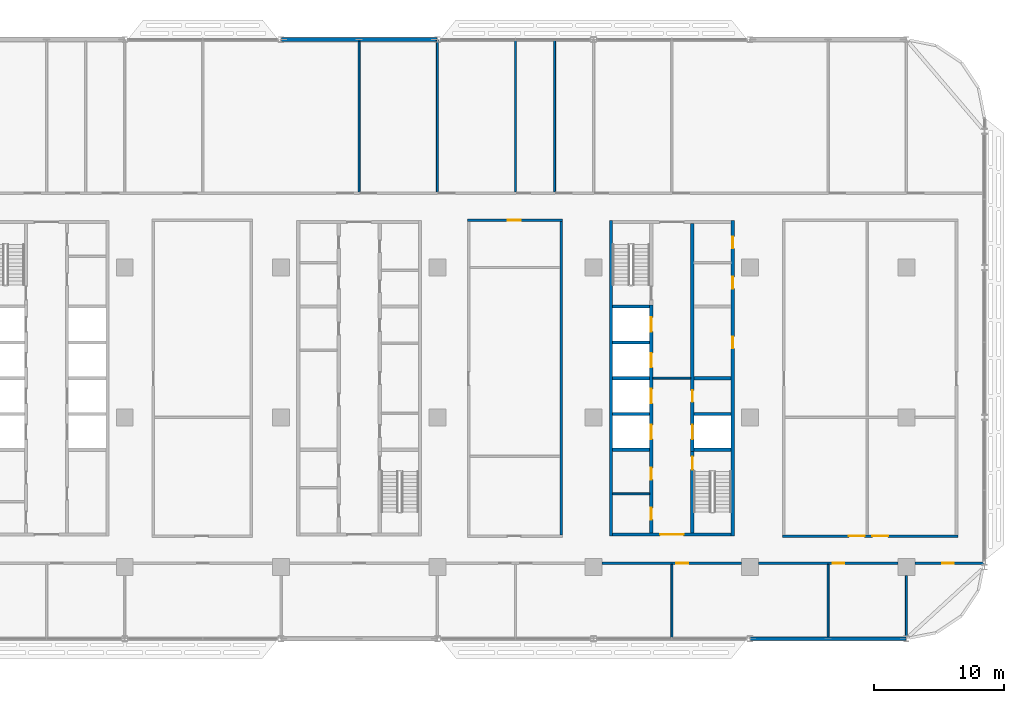
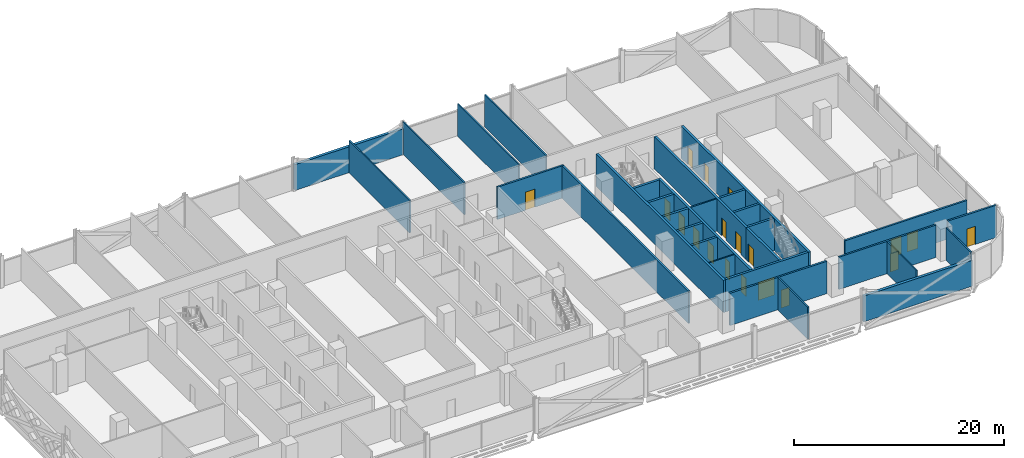
# One storey, part 17 of 28: 31 walls, 19 doors, 19 openings.
"""IFC4 building model written with IfcOpenShell, lengths in metres."""

from ifc_helpers import new_model, si_unit, direction, frame, frame_2d, origin, place, context, subcontext, project, spatial, rectangle, extrude, material, layer, layer_set, type_object, element, fill, save


model = new_model("IFC4")

# Units and contexts
model_context = context("Model", 3, precision=1e-05, world=origin(), true_north=direction((0.0, 1.0)))
body_context = subcontext(model_context, "Body", "Model", "MODEL_VIEW")
ifc_project = project(units=[si_unit("LENGTHUNIT", "METRE"), si_unit("AREAUNIT", "SQUARE_METRE"), si_unit("VOLUMEUNIT", "CUBIC_METRE"), si_unit("PLANEANGLEUNIT", "RADIAN"), si_unit("MASSUNIT", "GRAM", prefix="KILO")], contexts=[model_context])

# Site, building, storey
site_placement = place(None, origin())
site = spatial("IfcSite", under=ifc_project, at=site_placement, CompositionType="ELEMENT")
building_placement = place(site_placement, origin())
building = spatial("IfcBuilding", under=site, at=building_placement, Name="Mahtab Terrace Research Tower", CompositionType="ELEMENT")
storey_placement = place(building_placement, frame((0.0, 0.0, 130.199951171875)))
storey = spatial("IfcBuildingStorey", under=building, at=storey_placement, Name="L30", CompositionType="ELEMENT", Elevation=130.199951171875)

# Walls
ifc_material_1 = material(Name="Gypsum board partition")
ifc_layer_1 = layer(ifc_material_1, 0.14990234375)
ifc_layer_set_1 = layer_set([ifc_layer_1], Name="Core partition 150")
wall_type_1 = type_object("IfcWallType", Name="Core partition 150", PredefinedType="PARTITIONING", material=ifc_layer_set_1)
wall_1_placement = place(storey_placement, frame((22.550048828125, 3.0, 0.0), z_axis=(0.0, 0.0, 1.0), x_axis=(1.0, 0.0, 0.0)))
element("IfcWall", 1, at=wall_1_placement, inside=storey, type_object=wall_type_1, Name="Core wall C ffl", PredefinedType="PARTITIONING", context=body_context, shape_type="SweptSolid", body=[
    extrude(rectangle(XDim=2.89990234375, YDim=0.14990234375, at=frame_2d((1.449951171875, 0.0))), origin(), (0.0, 0.0, 1.0), 3.760009765625),
])
wall_2_placement = place(storey_placement, frame((19.449951171875, -5.875, 0.0), z_axis=(0.0, 0.0, 1.0), x_axis=(1.0, 0.0, 0.0)))
element("IfcWall", 2, at=wall_2_placement, inside=storey, type_object=wall_type_1, Name="Core wall C pWS-888", PredefinedType="PARTITIONING", context=body_context, shape_type="SweptSolid", body=[
    extrude(rectangle(XDim=2.85009765625, YDim=0.14990234375, at=frame_2d((1.425048828125, 0.0))), origin(), (0.0, 0.0, 1.0), 3.760009765625),
])
ifc_material_2 = material(Name="Concrete C70/85", Category="concrete")
ifc_layer_2 = layer(ifc_material_2, 0.25)
ifc_layer_set_2 = layer_set([ifc_layer_2], Name="Core wall 250")
wall_type_2 = type_object("IfcWallType", Name="Core wall 250", PredefinedType="SOLIDWALL", material=ifc_layer_set_2)
wall_3_placement = place(storey_placement, frame((19.324951171875, 15.125, 0.0), z_axis=(0.0, 0.0, 1.0), x_axis=(0.0, -1.0, 0.0)))
element("IfcWall", 3, at=wall_3_placement, inside=storey, type_object=wall_type_2, Name="Core wall C outerW", PredefinedType="SOLIDWALL", context=body_context, shape_type="SweptSolid", body=[
    extrude(rectangle(XDim=24.25, YDim=0.25, at=frame_2d((12.125, 0.0))), origin(), (0.0, 0.0, 1.0), 3.760009765625),
])

# Wall, openings, doors
wall_4_placement = place(storey_placement, frame((28.675048828125, -9.125, 0.0), z_axis=(0.0, 0.0, 1.0), x_axis=(0.0, 1.0, 0.0)))
wall_4 = element("IfcWall", 4, at=wall_4_placement, inside=storey, type_object=wall_type_2, Name="Core wall C outerE", PredefinedType="SOLIDWALL", context=body_context, shape_type="SweptSolid", body=[
    extrude(rectangle(XDim=24.25, YDim=0.25, at=frame_2d((12.125, 0.0))), origin(), (0.0, 0.0, 1.0), 3.760009765625),
])
opening_1_placement = place(wall_4_placement, frame((14.425048828125, 0.0, 0.0)))
opening_1 = element("IfcOpeningElement", 5, at=opening_1_placement, cuts=wall_4, Name="Opening C-R2", PredefinedType="OPENING", context=body_context, shape_type="SweptSolid", body=[
    extrude(rectangle(XDim=0.89990234375, YDim=2.10009765625, at=frame_2d((0.449951171875, 1.050048828125))), frame((0.0, 0.135009765625, 0.0), z_axis=(0.0, -1.0, 0.0), x_axis=(1.0, 0.0, 0.0)), (0.0, 0.0, 1.0), 0.27001953125),
])
opening_2_placement = place(wall_4_placement, frame((19.012451171875, 0.0, 0.0)))
opening_2 = element("IfcOpeningElement", 6, at=opening_2_placement, cuts=wall_4, Name="Opening C-R5", PredefinedType="OPENING", context=body_context, shape_type="SweptSolid", body=[
    extrude(rectangle(XDim=0.89990234375, YDim=2.10009765625, at=frame_2d((0.449951171875, 1.050048828125))), frame((0.0, 0.135009765625, 0.0), z_axis=(0.0, -1.0, 0.0), x_axis=(1.0, 0.0, 0.0)), (0.0, 0.0, 1.0), 0.27001953125),
])
opening_3_placement = place(wall_4_placement, frame((22.08740234375, 0.0, 0.0)))
opening_3 = element("IfcOpeningElement", 7, at=opening_3_placement, cuts=wall_4, Name="Opening C-R6", PredefinedType="OPENING", context=body_context, shape_type="SweptSolid", body=[
    extrude(rectangle(XDim=0.89990234375, YDim=2.10009765625, at=frame_2d((0.449951171875, 1.050048828125))), frame((0.0, 0.135009765625, 0.0), z_axis=(0.0, -1.0, 0.0), x_axis=(1.0, 0.0, 0.0)), (0.0, 0.0, 1.0), 0.27001953125),
])
ifc_material_3 = material(Name="Steel fire door", Category="steel")
door_type_1 = type_object("IfcDoorType", Name="Room door 900x2100 1 HR", OperationType="NOTDEFINED", PredefinedType="DOOR", material=ifc_material_3)
door_1_placement = place(opening_1_placement, origin())
door_1 = element("IfcDoor", 8, at=door_1_placement, inside=storey, type_object=door_type_1, Name="Plant room door", OperationType="SINGLE_SWING_RIGHT", OverallHeight=2.10009765625, OverallWidth=0.89990234375, PredefinedType="DOOR", context=body_context, shape_type="SweptSolid", body=[
    extrude(rectangle(XDim=0.89990234375, YDim=2.10009765625, at=frame_2d((0.449951171875, 1.050048828125))), frame((0.0, 0.02490234375, 0.0), z_axis=(0.0, -1.0, 0.0), x_axis=(1.0, 0.0, 0.0)), (0.0, 0.0, 1.0), 0.050048828125),
])
fill(opening_1, door_1)
door_2_placement = place(opening_2_placement, origin())
door_2 = element("IfcDoor", 9, at=door_2_placement, inside=storey, type_object=door_type_1, Name="Housekeeping store door", OperationType="SINGLE_SWING_LEFT", OverallHeight=2.10009765625, OverallWidth=0.89990234375, PredefinedType="DOOR", context=body_context, shape_type="SweptSolid", body=[
    extrude(rectangle(XDim=0.89990234375, YDim=2.10009765625, at=frame_2d((0.449951171875, 1.050048828125))), frame((0.0, 0.02490234375, 0.0), z_axis=(0.0, -1.0, 0.0), x_axis=(1.0, 0.0, 0.0)), (0.0, 0.0, 1.0), 0.050048828125),
])
fill(opening_2, door_2)
door_3_placement = place(opening_3_placement, origin())
door_3 = element("IfcDoor", 10, at=door_3_placement, inside=storey, type_object=door_type_1, Name="Electrical riser room door", OperationType="SINGLE_SWING_RIGHT", OverallHeight=2.10009765625, OverallWidth=0.89990234375, PredefinedType="DOOR", context=body_context, shape_type="SweptSolid", body=[
    extrude(rectangle(XDim=0.89990234375, YDim=2.10009765625, at=frame_2d((0.449951171875, 1.050048828125))), frame((0.0, 0.02490234375, 0.0), z_axis=(0.0, -1.0, 0.0), x_axis=(1.0, 0.0, 0.0)), (0.0, 0.0, 1.0), 0.050048828125),
])
fill(opening_3, door_3)

# Wall, opening, door
wall_5_placement = place(storey_placement, frame((28.550048828125, -9.0, 0.0), z_axis=(0.0, 0.0, 1.0), x_axis=(-1.0, 0.0, 0.0)))
wall_5 = element("IfcWall", 11, at=wall_5_placement, inside=storey, type_object=wall_type_2, Name="Core wall C endS", PredefinedType="SOLIDWALL", context=body_context, shape_type="SweptSolid", body=[
    extrude(rectangle(XDim=9.10009765625, YDim=0.25, at=frame_2d((4.550048828125, 0.0))), origin(), (0.0, 0.0, 1.0), 3.760009765625),
])
opening_4_placement = place(wall_5_placement, frame((3.64990234375, 0.0, 0.0)))
opening_4 = element("IfcOpeningElement", 12, at=opening_4_placement, cuts=wall_5, Name="Opening C-S1", PredefinedType="OPENING", context=body_context, shape_type="SweptSolid", body=[
    extrude(rectangle(XDim=1.800048828125, YDim=2.10009765625, at=frame_2d((0.89990234375, 1.050048828125))), frame((0.0, 0.135009765625, 0.0), z_axis=(0.0, -1.0, 0.0), x_axis=(1.0, 0.0, 0.0)), (0.0, 0.0, 1.0), 0.27001953125),
])
door_type_2 = type_object("IfcDoorType", Name="Lobby double door 1800x2100 1 HR", OperationType="DOUBLE_DOOR_SINGLE_SWING", PredefinedType="DOOR", material=ifc_material_3)
door_4_placement = place(opening_4_placement, origin())
door_4 = element("IfcDoor", 13, at=door_4_placement, inside=storey, type_object=door_type_2, Name="Core entrance door C S", OperationType="DOUBLE_DOOR_SINGLE_SWING", OverallHeight=2.10009765625, OverallWidth=1.800048828125, PredefinedType="DOOR", context=body_context, shape_type="SweptSolid", body=[
    extrude(rectangle(XDim=1.800048828125, YDim=2.10009765625, at=frame_2d((0.89990234375, 1.050048828125))), frame((0.0, 0.02490234375, 0.0), z_axis=(0.0, -1.0, 0.0), x_axis=(1.0, 0.0, 0.0)), (0.0, 0.0, 1.0), 0.050048828125),
])
fill(opening_4, door_4)

# Wall, openings, doors
wall_6_placement = place(storey_placement, frame((22.425048828125, -8.875, 0.0), z_axis=(0.0, 0.0, 1.0), x_axis=(0.0, 1.0, 0.0)))
wall_6 = element("IfcWall", 14, at=wall_6_placement, inside=storey, type_object=wall_type_2, Name="Core wall C innerWSL", PredefinedType="SOLIDWALL", context=body_context, shape_type="SweptSolid", body=[
    extrude(rectangle(XDim=17.5, YDim=0.25, at=frame_2d((8.75, 0.0))), origin(), (0.0, 0.0, 1.0), 3.760009765625),
])
opening_5_placement = place(wall_6_placement, frame((7.199951171875, 0.0, 0.0)))
opening_5 = element("IfcOpeningElement", 15, at=opening_5_placement, cuts=wall_6, Name="Opening LD17-L30", PredefinedType="OPENING", context=body_context, shape_type="SweptSolid", body=[
    extrude(rectangle(XDim=1.10009765625, YDim=2.10009765625, at=frame_2d((0.550048828125, 1.050048828125))), frame((0.0, 0.135009765625, 0.0), z_axis=(0.0, -1.0, 0.0), x_axis=(1.0, 0.0, 0.0)), (0.0, 0.0, 1.0), 0.27001953125),
])
opening_6_placement = place(wall_6_placement, frame((9.949951171875, 0.0, 0.0)))
opening_6 = element("IfcOpeningElement", 16, at=opening_6_placement, cuts=wall_6, Name="Opening LD18-L30", PredefinedType="OPENING", context=body_context, shape_type="SweptSolid", body=[
    extrude(rectangle(XDim=1.10009765625, YDim=2.10009765625, at=frame_2d((0.550048828125, 1.050048828125))), frame((0.0, 0.135009765625, 0.0), z_axis=(0.0, -1.0, 0.0), x_axis=(1.0, 0.0, 0.0)), (0.0, 0.0, 1.0), 0.27001953125),
])
opening_7_placement = place(wall_6_placement, frame((12.699951171875, 0.0, 0.0)))
opening_7 = element("IfcOpeningElement", 17, at=opening_7_placement, cuts=wall_6, Name="Opening LD19-L30", PredefinedType="OPENING", context=body_context, shape_type="SweptSolid", body=[
    extrude(rectangle(XDim=1.10009765625, YDim=2.10009765625, at=frame_2d((0.550048828125, 1.050048828125))), frame((0.0, 0.135009765625, 0.0), z_axis=(0.0, -1.0, 0.0), x_axis=(1.0, 0.0, 0.0)), (0.0, 0.0, 1.0), 0.27001953125),
])
opening_8_placement = place(wall_6_placement, frame((15.449951171875, 0.0, 0.0)))
opening_8 = element("IfcOpeningElement", 18, at=opening_8_placement, cuts=wall_6, Name="Opening LD20-L30", PredefinedType="OPENING", context=body_context, shape_type="SweptSolid", body=[
    extrude(rectangle(XDim=1.10009765625, YDim=2.10009765625, at=frame_2d((0.550048828125, 1.050048828125))), frame((0.0, 0.135009765625, 0.0), z_axis=(0.0, -1.0, 0.0), x_axis=(1.0, 0.0, 0.0)), (0.0, 0.0, 1.0), 0.27001953125),
])
opening_9_placement = place(wall_6_placement, frame((1.012451171875, 0.0, 0.0)))
opening_9 = element("IfcOpeningElement", 19, at=opening_9_placement, cuts=wall_6, Name="Opening C-R3", PredefinedType="OPENING", context=body_context, shape_type="SweptSolid", body=[
    extrude(rectangle(XDim=0.89990234375, YDim=2.10009765625, at=frame_2d((0.449951171875, 1.050048828125))), frame((0.0, 0.135009765625, 0.0), z_axis=(0.0, -1.0, 0.0), x_axis=(1.0, 0.0, 0.0)), (0.0, 0.0, 1.0), 0.27001953125),
])
opening_10_placement = place(wall_6_placement, frame((4.08740234375, 0.0, 0.0)))
opening_10 = element("IfcOpeningElement", 20, at=opening_10_placement, cuts=wall_6, Name="Opening C-R4", PredefinedType="OPENING", context=body_context, shape_type="SweptSolid", body=[
    extrude(rectangle(XDim=0.89990234375, YDim=2.10009765625, at=frame_2d((0.449951171875, 1.050048828125))), frame((0.0, 0.135009765625, 0.0), z_axis=(0.0, -1.0, 0.0), x_axis=(1.0, 0.0, 0.0)), (0.0, 0.0, 1.0), 0.27001953125),
])
ifc_material_4 = material(Name="Stainless steel AISI 304", Category="steel")
door_type_3 = type_object("IfcDoorType", Name="Landing door 1100x2100", OperationType="DOUBLE_DOOR_SLIDING", PredefinedType="DOOR", material=ifc_material_4)
door_5_placement = place(opening_5_placement, origin())
door_5 = element("IfcDoor", 21, at=door_5_placement, inside=storey, type_object=door_type_3, Name="Landing door SV1 L30", OperationType="DOUBLE_DOOR_SLIDING", OverallHeight=2.10009765625, OverallWidth=1.10009765625, PredefinedType="DOOR", context=body_context, shape_type="SweptSolid", body=[
    extrude(rectangle(XDim=1.10009765625, YDim=2.10009765625, at=frame_2d((0.550048828125, 1.050048828125))), frame((0.0, 0.02490234375, 0.0), z_axis=(0.0, -1.0, 0.0), x_axis=(1.0, 0.0, 0.0)), (0.0, 0.0, 1.0), 0.050048828125),
])
fill(opening_5, door_5)
door_6_placement = place(opening_6_placement, origin())
door_6 = element("IfcDoor", 22, at=door_6_placement, inside=storey, type_object=door_type_3, Name="Landing door SV2 L30", OperationType="DOUBLE_DOOR_SLIDING", OverallHeight=2.10009765625, OverallWidth=1.10009765625, PredefinedType="DOOR", context=body_context, shape_type="SweptSolid", body=[
    extrude(rectangle(XDim=1.10009765625, YDim=2.10009765625, at=frame_2d((0.550048828125, 1.050048828125))), frame((0.0, 0.02490234375, 0.0), z_axis=(0.0, -1.0, 0.0), x_axis=(1.0, 0.0, 0.0)), (0.0, 0.0, 1.0), 0.050048828125),
])
fill(opening_6, door_6)
door_7_placement = place(opening_7_placement, origin())
door_7 = element("IfcDoor", 23, at=door_7_placement, inside=storey, type_object=door_type_3, Name="Landing door FF1 L30", OperationType="DOUBLE_DOOR_SLIDING", OverallHeight=2.10009765625, OverallWidth=1.10009765625, PredefinedType="DOOR", context=body_context, shape_type="SweptSolid", body=[
    extrude(rectangle(XDim=1.10009765625, YDim=2.10009765625, at=frame_2d((0.550048828125, 1.050048828125))), frame((0.0, 0.02490234375, 0.0), z_axis=(0.0, -1.0, 0.0), x_axis=(1.0, 0.0, 0.0)), (0.0, 0.0, 1.0), 0.050048828125),
])
fill(opening_7, door_7)
door_8_placement = place(opening_8_placement, origin())
door_8 = element("IfcDoor", 24, at=door_8_placement, inside=storey, type_object=door_type_3, Name="Landing door FF2 L30", OperationType="DOUBLE_DOOR_SLIDING", OverallHeight=2.10009765625, OverallWidth=1.10009765625, PredefinedType="DOOR", context=body_context, shape_type="SweptSolid", body=[
    extrude(rectangle(XDim=1.10009765625, YDim=2.10009765625, at=frame_2d((0.550048828125, 1.050048828125))), frame((0.0, 0.02490234375, 0.0), z_axis=(0.0, -1.0, 0.0), x_axis=(1.0, 0.0, 0.0)), (0.0, 0.0, 1.0), 0.050048828125),
])
fill(opening_8, door_8)
door_9_placement = place(opening_9_placement, origin())
door_9 = element("IfcDoor", 25, at=door_9_placement, inside=storey, type_object=door_type_1, Name="Staff WC door", OperationType="SINGLE_SWING_LEFT", OverallHeight=2.10009765625, OverallWidth=0.89990234375, PredefinedType="DOOR", context=body_context, shape_type="SweptSolid", body=[
    extrude(rectangle(XDim=0.89990234375, YDim=2.10009765625, at=frame_2d((0.449951171875, 1.050048828125))), frame((0.0, 0.02490234375, 0.0), z_axis=(0.0, -1.0, 0.0), x_axis=(1.0, 0.0, 0.0)), (0.0, 0.0, 1.0), 0.050048828125),
])
fill(opening_9, door_9)
door_10_placement = place(opening_10_placement, origin())
door_10 = element("IfcDoor", 26, at=door_10_placement, inside=storey, type_object=door_type_1, Name="Accessible WC door", OperationType="SINGLE_SWING_RIGHT", OverallHeight=2.10009765625, OverallWidth=0.89990234375, PredefinedType="DOOR", context=body_context, shape_type="SweptSolid", body=[
    extrude(rectangle(XDim=0.89990234375, YDim=2.10009765625, at=frame_2d((0.449951171875, 1.050048828125))), frame((0.0, 0.02490234375, 0.0), z_axis=(0.0, -1.0, 0.0), x_axis=(1.0, 0.0, 0.0)), (0.0, 0.0, 1.0), 0.050048828125),
])
fill(opening_10, door_10)

# Wall, opening, door
wall_7_placement = place(storey_placement, frame((25.574951171875, -8.875, 0.0), z_axis=(0.0, 0.0, 1.0), x_axis=(0.0, 1.0, 0.0)))
wall_7 = element("IfcWall", 27, at=wall_7_placement, inside=storey, type_object=wall_type_2, Name="Core wall C innerES", PredefinedType="SOLIDWALL", context=body_context, shape_type="SweptSolid", body=[
    extrude(rectangle(XDim=6.25, YDim=0.25, at=frame_2d((3.125, 0.0))), origin(), (0.0, 0.0, 1.0), 3.760009765625),
])
opening_11_placement = place(wall_7_placement, frame((4.85009765625, 0.0, 0.0)))
opening_11 = element("IfcOpeningElement", 28, at=opening_11_placement, cuts=wall_7, Name="Opening C-ST4", PredefinedType="OPENING", context=body_context, shape_type="SweptSolid", body=[
    extrude(rectangle(XDim=1.0, YDim=2.10009765625, at=frame_2d((0.5, 1.050048828125))), frame((0.0, 0.135009765625, 0.0), z_axis=(0.0, -1.0, 0.0), x_axis=(1.0, 0.0, 0.0)), (0.0, 0.0, 1.0), 0.27001953125),
])
door_type_4 = type_object("IfcDoorType", Name="Stair door 1000x2100 1.5 HR", OperationType="NOTDEFINED", PredefinedType="DOOR", material=ifc_material_3)
door_11_placement = place(opening_11_placement, origin())
door_11 = element("IfcDoor", 29, at=door_11_placement, inside=storey, type_object=door_type_4, Name="Stair door ST4 L30", OperationType="SINGLE_SWING_RIGHT", OverallHeight=2.10009765625, OverallWidth=1.0, PredefinedType="DOOR", context=body_context, shape_type="SweptSolid", body=[
    extrude(rectangle(XDim=1.0, YDim=2.10009765625, at=frame_2d((0.5, 1.050048828125))), frame((0.0, 0.02490234375, 0.0), z_axis=(0.0, -1.0, 0.0), x_axis=(1.0, 0.0, 0.0)), (0.0, 0.0, 1.0), 0.050048828125),
])
fill(opening_11, door_11)

# Wall, openings, doors
wall_8_placement = place(storey_placement, frame((25.574951171875, 14.875, 0.0), z_axis=(0.0, 0.0, 1.0), x_axis=(0.0, -1.0, 0.0)))
wall_8 = element("IfcWall", 30, at=wall_8_placement, inside=storey, type_object=wall_type_2, Name="Core wall C innerELN", PredefinedType="SOLIDWALL", context=body_context, shape_type="SweptSolid", body=[
    extrude(rectangle(XDim=17.5, YDim=0.25, at=frame_2d((8.75, 0.0))), origin(), (0.0, 0.0, 1.0), 3.760009765625),
])
opening_12_placement = place(wall_8_placement, frame((15.449951171875, 0.0, 0.0)))
opening_12 = element("IfcOpeningElement", 31, at=opening_12_placement, cuts=wall_8, Name="Opening LD21-L30", PredefinedType="OPENING", context=body_context, shape_type="SweptSolid", body=[
    extrude(rectangle(XDim=1.10009765625, YDim=2.10009765625, at=frame_2d((0.550048828125, 1.050048828125))), frame((0.0, 0.135009765625, 0.0), z_axis=(0.0, -1.0, 0.0), x_axis=(1.0, 0.0, 0.0)), (0.0, 0.0, 1.0), 0.27001953125),
])
opening_13_placement = place(wall_8_placement, frame((12.800048828125, 0.0, 0.0)))
opening_13 = element("IfcOpeningElement", 32, at=opening_13_placement, cuts=wall_8, Name="Opening C-R1", PredefinedType="OPENING", context=body_context, shape_type="SweptSolid", body=[
    extrude(rectangle(XDim=0.89990234375, YDim=2.10009765625, at=frame_2d((0.449951171875, 1.050048828125))), frame((0.0, 0.135009765625, 0.0), z_axis=(0.0, -1.0, 0.0), x_axis=(1.0, 0.0, 0.0)), (0.0, 0.0, 1.0), 0.27001953125),
])
door_12_placement = place(opening_12_placement, origin())
door_12 = element("IfcDoor", 33, at=door_12_placement, inside=storey, type_object=door_type_3, Name="Landing door SV3 L30", OperationType="DOUBLE_DOOR_SLIDING", OverallHeight=2.10009765625, OverallWidth=1.10009765625, PredefinedType="DOOR", context=body_context, shape_type="SweptSolid", body=[
    extrude(rectangle(XDim=1.10009765625, YDim=2.10009765625, at=frame_2d((0.550048828125, 1.050048828125))), frame((0.0, 0.02490234375, 0.0), z_axis=(0.0, -1.0, 0.0), x_axis=(1.0, 0.0, 0.0)), (0.0, 0.0, 1.0), 0.050048828125),
])
fill(opening_12, door_12)
door_13_placement = place(opening_13_placement, origin())
door_13 = element("IfcDoor", 34, at=door_13_placement, inside=storey, type_object=door_type_1, Name="Plant room door", OperationType="SINGLE_SWING_LEFT", OverallHeight=2.10009765625, OverallWidth=0.89990234375, PredefinedType="DOOR", context=body_context, shape_type="SweptSolid", body=[
    extrude(rectangle(XDim=0.89990234375, YDim=2.10009765625, at=frame_2d((0.449951171875, 1.050048828125))), frame((0.0, 0.02490234375, 0.0), z_axis=(0.0, -1.0, 0.0), x_axis=(1.0, 0.0, 0.0)), (0.0, 0.0, 1.0), 0.050048828125),
])
fill(opening_13, door_13)

# Walls
for number, where, z_axis, x_axis, name in (
    (35, (19.449951171875, -2.5, 0.0), (0.0, 0.0, 1.0), (1.0, 0.0, 0.0), "Core wall C divW0"),
    (36, (19.449951171875, 0.25, 0.0), (0.0, 0.0, 1.0), (1.0, 0.0, 0.0), "Core wall C divW1"),
    (37, (19.449951171875, 3.0, 0.0), (0.0, 0.0, 1.0), (1.0, 0.0, 0.0), "Core wall C divW2"),
    (38, (19.449951171875, 5.75, 0.0), (0.0, 0.0, 1.0), (1.0, 0.0, 0.0), "Core wall C divW3"),
    (39, (19.449951171875, 8.5, 0.0), (0.0, 0.0, 1.0), (1.0, 0.0, 0.0), "Core wall C divW4"),
    (40, (25.699951171875, -2.5, 0.0), (0.0, 0.0, 1.0), (1.0, 0.0, 0.0), "Core wall C divE0"),
    (41, (25.699951171875, 0.25, 0.0), (0.0, 0.0, 1.0), (1.0, 0.0, 0.0), "Core wall C divE1"),
    (42, (25.699951171875, 3.0, 0.0), (0.0, 0.0, 1.0), (1.0, 0.0, 0.0), "Core wall C divE2"),
):
    element("IfcWall", number, at=place(storey_placement, frame(where, z_axis=z_axis, x_axis=x_axis)), inside=storey, type_object=wall_type_2, Name=name, PredefinedType="SOLIDWALL", context=body_context, shape_type="SweptSolid", body=[
        extrude(rectangle(XDim=2.85009765625, YDim=0.25, at=frame_2d((1.425048828125, 0.0))), origin(), (0.0, 0.0, 1.0), 3.760009765625),
    ])
ifc_material_5 = material(Name="Black aluminium cladding panel", Category="aluminium")
ifc_layer_3 = layer(ifc_material_5, 0.300048828125)
ifc_layer_set_3 = layer_set([ifc_layer_3], Name="Opaque facade wall 300")
wall_type_3 = type_object("IfcWallType", Name="Opaque facade wall 300", PredefinedType="NOTDEFINED", material=ifc_layer_set_3)
for number, where, z_axis, x_axis, name in (
    (43, (5.982177734375, 29.0, 0.0), (0.0, 0.0, 1.0), (-1.0, 0.0, 0.0), "Opaque facade wall L30 N6"),
    (44, (30.017822265625, -17.0, 0.0), (0.0, 0.0, 1.0), (1.0, 0.0, 0.0), "Opaque facade wall L30 S30"),
):
    element("IfcWall", number, at=place(storey_placement, frame(where, z_axis=z_axis, x_axis=x_axis)), inside=storey, type_object=wall_type_3, Name=name, PredefinedType="NOTDEFINED", context=body_context, shape_type="SweptSolid", body=[
        extrude(rectangle(XDim=11.96435546875, YDim=0.300048828125, at=frame_2d((5.982177734375, 0.0))), origin(), (0.0, 0.0, 1.0), 3.003173828125),
    ])

# Wall, opening, door
ifc_material_6 = material(Name="Gypsum board corridor wall on steel studs", Category="steel")
ifc_layer_4 = layer(ifc_material_6, 0.199951171875)
ifc_layer_set_4 = layer_set([ifc_layer_4], Name="WALL CORRIDOR 200")
wall_type_4 = type_object("IfcWallType", Name="WALL CORRIDOR 200", PredefinedType="PARTITIONING", material=ifc_layer_set_4)
wall_9_placement = place(storey_placement, frame((18.64990234375, -11.199951171875, 0.0), z_axis=(0.0, 0.0, 1.0), x_axis=(1.0, 0.0, 0.0)))
wall_9 = element("IfcWall", 45, at=wall_9_placement, inside=storey, type_object=wall_type_4, Name="L30-W007", PredefinedType="PARTITIONING", context=body_context, shape_type="SweptSolid", body=[
    extrude(rectangle(XDim=10.7001953125, YDim=0.199951171875, at=frame_2d((5.35009765625, 0.0))), origin(), (0.0, 0.0, 1.0), 3.760009765625),
])
opening_14_placement = place(wall_9_placement, frame((5.699951171875, 0.0, 0.0)))
opening_14 = element("IfcOpeningElement", 46, at=opening_14_placement, cuts=wall_9, Name="Opening L30-108", PredefinedType="OPENING", context=body_context, shape_type="SweptSolid", body=[
    extrude(rectangle(XDim=0.89990234375, YDim=2.10009765625, at=frame_2d((0.449951171875, 1.050048828125))), frame((0.0, 0.10986328125, 0.0), z_axis=(0.0, -1.0, 0.0), x_axis=(1.0, 0.0, 0.0)), (0.0, 0.0, 1.0), 0.219970703125),
])
ifc_material_7 = material(Name="Timber door leaf in steel frame", Category="steel")
door_type_5 = type_object("IfcDoorType", Name="DOOR 0900X2100 FD30S", OperationType="SINGLE_SWING_LEFT", PredefinedType="DOOR", material=ifc_material_7)
door_14_placement = place(opening_14_placement, origin())
door_14 = element("IfcDoor", 47, at=door_14_placement, inside=storey, type_object=door_type_5, Name="Door L30-108", OperationType="SINGLE_SWING_LEFT", OverallHeight=2.10009765625, OverallWidth=0.89990234375, PredefinedType="DOOR", context=body_context, shape_type="SweptSolid", body=[
    extrude(rectangle(XDim=0.89990234375, YDim=2.10009765625, at=frame_2d((0.449951171875, 1.050048828125))), frame((0.0, 0.02490234375, 0.0), z_axis=(0.0, -1.0, 0.0), x_axis=(1.0, 0.0, 0.0)), (0.0, 0.0, 1.0), 0.050048828125),
])
fill(opening_14, door_14)

wall_10_placement = place(storey_placement, frame((30.64990234375, -11.199951171875, 0.0), z_axis=(0.0, 0.0, 1.0), x_axis=(1.0, 0.0, 0.0)))
wall_10 = element("IfcWall", 48, at=wall_10_placement, inside=storey, type_object=wall_type_4, Name="L30-W008", PredefinedType="PARTITIONING", context=body_context, shape_type="SweptSolid", body=[
    extrude(rectangle(XDim=10.7001953125, YDim=0.199951171875, at=frame_2d((5.35009765625, 0.0))), origin(), (0.0, 0.0, 1.0), 3.760009765625),
])
opening_15_placement = place(wall_10_placement, frame((5.699951171875, 0.0, 0.0)))
opening_15 = element("IfcOpeningElement", 49, at=opening_15_placement, cuts=wall_10, Name="Opening L30-109", PredefinedType="OPENING", context=body_context, shape_type="SweptSolid", body=[
    extrude(rectangle(XDim=0.89990234375, YDim=2.10009765625, at=frame_2d((0.449951171875, 1.050048828125))), frame((0.0, 0.10986328125, 0.0), z_axis=(0.0, -1.0, 0.0), x_axis=(1.0, 0.0, 0.0)), (0.0, 0.0, 1.0), 0.219970703125),
])
door_15_placement = place(opening_15_placement, origin())
door_15 = element("IfcDoor", 50, at=door_15_placement, inside=storey, type_object=door_type_5, Name="Door L30-109", OperationType="SINGLE_SWING_LEFT", OverallHeight=2.10009765625, OverallWidth=0.89990234375, PredefinedType="DOOR", context=body_context, shape_type="SweptSolid", body=[
    extrude(rectangle(XDim=0.89990234375, YDim=2.10009765625, at=frame_2d((0.449951171875, 1.050048828125))), frame((0.0, 0.02490234375, 0.0), z_axis=(0.0, -1.0, 0.0), x_axis=(1.0, 0.0, 0.0)), (0.0, 0.0, 1.0), 0.050048828125),
])
fill(opening_15, door_15)

wall_11_placement = place(storey_placement, frame((42.64990234375, -11.199951171875, 0.0), z_axis=(0.0, 0.0, 1.0), x_axis=(1.0, 0.0, 0.0)))
wall_11 = element("IfcWall", 51, at=wall_11_placement, inside=storey, type_object=wall_type_4, Name="L30-W009", PredefinedType="PARTITIONING", context=body_context, shape_type="SweptSolid", body=[
    extrude(rectangle(XDim=5.3251953125, YDim=0.199951171875, at=frame_2d((2.66259765625, 0.0))), origin(), (0.0, 0.0, 1.0), 3.760009765625),
])
opening_16_placement = place(wall_11_placement, frame((2.10009765625, 0.0, 0.0)))
opening_16 = element("IfcOpeningElement", 52, at=opening_16_placement, cuts=wall_11, Name="Opening L30-110", PredefinedType="OPENING", context=body_context, shape_type="SweptSolid", body=[
    extrude(rectangle(XDim=0.89990234375, YDim=2.10009765625, at=frame_2d((0.449951171875, 1.050048828125))), frame((0.0, 0.10986328125, 0.0), z_axis=(0.0, -1.0, 0.0), x_axis=(1.0, 0.0, 0.0)), (0.0, 0.0, 1.0), 0.219970703125),
])
door_16_placement = place(opening_16_placement, origin())
door_16 = element("IfcDoor", 53, at=door_16_placement, inside=storey, type_object=door_type_5, Name="Door L30-110", OperationType="SINGLE_SWING_RIGHT", OverallHeight=2.10009765625, OverallWidth=0.89990234375, PredefinedType="DOOR", context=body_context, shape_type="SweptSolid", body=[
    extrude(rectangle(XDim=0.89990234375, YDim=2.10009765625, at=frame_2d((0.449951171875, 1.050048828125))), frame((0.0, 0.02490234375, 0.0), z_axis=(0.0, -1.0, 0.0), x_axis=(1.0, 0.0, 0.0)), (0.0, 0.0, 1.0), 0.050048828125),
])
fill(opening_16, door_16)

# Wall, openings, doors
wall_12_placement = place(storey_placement, frame((32.5, -9.125, 0.0), z_axis=(0.0, 0.0, 1.0), x_axis=(1.0, 0.0, 0.0)))
wall_12 = element("IfcWall", 54, at=wall_12_placement, inside=storey, type_object=wall_type_4, Name="L30-W013", PredefinedType="PARTITIONING", context=body_context, shape_type="SweptSolid", body=[
    extrude(rectangle(XDim=13.449951171875, YDim=0.199951171875, at=frame_2d((6.72509765625, 0.0))), origin(), (0.0, 0.0, 1.0), 3.760009765625),
])
opening_17_placement = place(wall_12_placement, frame((5.10009765625, 0.0, 0.0)))
opening_17 = element("IfcOpeningElement", 55, at=opening_17_placement, cuts=wall_12, Name="Opening L30-115", PredefinedType="OPENING", context=body_context, shape_type="SweptSolid", body=[
    extrude(rectangle(XDim=1.199951171875, YDim=2.10009765625, at=frame_2d((0.60009765625, 1.050048828125))), frame((0.0, 0.10986328125, 0.0), z_axis=(0.0, -1.0, 0.0), x_axis=(1.0, 0.0, 0.0)), (0.0, 0.0, 1.0), 0.219970703125),
])
opening_18_placement = place(wall_12_placement, frame((6.89990234375, 0.0, 0.0)))
opening_18 = element("IfcOpeningElement", 56, at=opening_18_placement, cuts=wall_12, Name="Opening L30-116", PredefinedType="OPENING", context=body_context, shape_type="SweptSolid", body=[
    extrude(rectangle(XDim=1.199951171875, YDim=2.10009765625, at=frame_2d((0.60009765625, 1.050048828125))), frame((0.0, 0.10986328125, 0.0), z_axis=(0.0, -1.0, 0.0), x_axis=(1.0, 0.0, 0.0)), (0.0, 0.0, 1.0), 0.219970703125),
])
door_type_6 = type_object("IfcDoorType", Name="DOOR 1200X2100 FD30S", OperationType="SINGLE_SWING_LEFT", PredefinedType="DOOR", material=ifc_material_7)
door_17_placement = place(opening_17_placement, origin())
door_17 = element("IfcDoor", 57, at=door_17_placement, inside=storey, type_object=door_type_6, Name="Door L30-115", OperationType="SINGLE_SWING_LEFT", OverallHeight=2.10009765625, OverallWidth=1.199951171875, PredefinedType="DOOR", context=body_context, shape_type="SweptSolid", body=[
    extrude(rectangle(XDim=1.199951171875, YDim=2.10009765625, at=frame_2d((0.60009765625, 1.050048828125))), frame((0.0, 0.02490234375, 0.0), z_axis=(0.0, -1.0, 0.0), x_axis=(1.0, 0.0, 0.0)), (0.0, 0.0, 1.0), 0.050048828125),
])
fill(opening_17, door_17)
door_18_placement = place(opening_18_placement, origin())
door_18 = element("IfcDoor", 58, at=door_18_placement, inside=storey, type_object=door_type_6, Name="Door L30-116", OperationType="SINGLE_SWING_RIGHT", OverallHeight=2.10009765625, OverallWidth=1.199951171875, PredefinedType="DOOR", context=body_context, shape_type="SweptSolid", body=[
    extrude(rectangle(XDim=1.199951171875, YDim=2.10009765625, at=frame_2d((0.60009765625, 1.050048828125))), frame((0.0, 0.02490234375, 0.0), z_axis=(0.0, -1.0, 0.0), x_axis=(1.0, 0.0, 0.0)), (0.0, 0.0, 1.0), 0.050048828125),
])
fill(opening_18, door_18)

# Wall, opening, door
wall_13_placement = place(storey_placement, frame((8.300048828125, 15.125, 0.0), z_axis=(0.0, 0.0, 1.0), x_axis=(1.0, 0.0, 0.0)))
wall_13 = element("IfcWall", 59, at=wall_13_placement, inside=storey, type_object=wall_type_4, Name="L30-W024", PredefinedType="PARTITIONING", context=body_context, shape_type="SweptSolid", body=[
    extrude(rectangle(XDim=7.300048828125, YDim=0.199951171875, at=frame_2d((3.64990234375, 0.0))), origin(), (0.0, 0.0, 1.0), 3.760009765625),
])
opening_19_placement = place(wall_13_placement, frame((3.10009765625, 0.0, 0.0)))
opening_19 = element("IfcOpeningElement", 60, at=opening_19_placement, cuts=wall_13, Name="Opening L30-125", PredefinedType="OPENING", context=body_context, shape_type="SweptSolid", body=[
    extrude(rectangle(XDim=1.0, YDim=2.10009765625, at=frame_2d((0.5, 1.050048828125))), frame((0.0, 0.10986328125, 0.0), z_axis=(0.0, -1.0, 0.0), x_axis=(1.0, 0.0, 0.0)), (0.0, 0.0, 1.0), 0.219970703125),
])
door_type_7 = type_object("IfcDoorType", Name="DOOR 1000X2100 FD30S", OperationType="SINGLE_SWING_LEFT", PredefinedType="DOOR", material=ifc_material_7)
door_19_placement = place(opening_19_placement, origin())
door_19 = element("IfcDoor", 61, at=door_19_placement, inside=storey, type_object=door_type_7, Name="Door L30-125", OperationType="SINGLE_SWING_RIGHT", OverallHeight=2.10009765625, OverallWidth=1.0, PredefinedType="DOOR", context=body_context, shape_type="SweptSolid", body=[
    extrude(rectangle(XDim=1.0, YDim=2.10009765625, at=frame_2d((0.5, 1.050048828125))), frame((0.0, 0.02490234375, 0.0), z_axis=(0.0, -1.0, 0.0), x_axis=(1.0, 0.0, 0.0)), (0.0, 0.0, 1.0), 0.050048828125),
])
fill(opening_19, door_19)

# Walls
wall_14_placement = place(storey_placement, frame((15.5, -9.02490234375, 0.0), z_axis=(0.0, 0.0, 1.0), x_axis=(0.0, 1.0, 0.0)))
element("IfcWall", 62, at=wall_14_placement, inside=storey, type_object=wall_type_4, Name="L30-W049", PredefinedType="PARTITIONING", context=body_context, shape_type="SweptSolid", body=[
    extrude(rectangle(XDim=24.0498046875, YDim=0.199951171875, at=frame_2d((12.02490234375, 0.0))), origin(), (0.0, 0.0, 1.0), 3.760009765625),
])
ifc_material_8 = material(Name="Gypsum board partition on steel studs", Category="steel")
ifc_layer_5 = layer(ifc_material_8, 0.14990234375)
ifc_layer_set_5 = layer_set([ifc_layer_5], Name="WALL PARTITION 150")
wall_type_5 = type_object("IfcWallType", Name="WALL PARTITION 150", PredefinedType="PARTITIONING", material=ifc_layer_set_5)
wall_15_placement = place(storey_placement, frame((0.0, 17.300048828125, 0.0), z_axis=(0.0, 0.0, 1.0), x_axis=(0.0, 1.0, 0.0)))
element("IfcWall", 63, at=wall_15_placement, inside=storey, type_object=wall_type_5, Name="L30-W042", PredefinedType="PARTITIONING", context=body_context, shape_type="SweptSolid", body=[
    extrude(rectangle(XDim=11.550048828125, YDim=0.14990234375, at=frame_2d((5.77490234375, 0.0))), origin(), (0.0, 0.0, 1.0), 3.760009765625),
])
for number, where, z_axis, x_axis, name in (
    (64, (6.0, 17.300048828125, 0.0), (0.0, 0.0, 1.0), (0.0, 1.0, 0.0), "L30-W044"),
    (65, (12.0, 17.300048828125, 0.0), (0.0, 0.0, 1.0), (0.0, 1.0, 0.0), "L30-W047"),
    (66, (15.0, 17.300048828125, 0.0), (0.0, 0.0, 1.0), (0.0, 1.0, 0.0), "L30-W048"),
):
    element("IfcWall", number, at=place(storey_placement, frame(where, z_axis=z_axis, x_axis=x_axis)), inside=storey, type_object=wall_type_5, Name=name, PredefinedType="PARTITIONING", context=body_context, shape_type="SweptSolid", body=[
        extrude(rectangle(XDim=11.675048828125, YDim=0.14990234375, at=frame_2d((5.83740234375, 0.0))), origin(), (0.0, 0.0, 1.0), 3.760009765625),
    ])
wall_16_placement = place(storey_placement, frame((24.0, -16.97509765625, 0.0), z_axis=(0.0, 0.0, 1.0), x_axis=(0.0, 1.0, 0.0)))
element("IfcWall", 67, at=wall_16_placement, inside=storey, type_object=wall_type_5, Name="L30-W051", PredefinedType="PARTITIONING", context=body_context, shape_type="SweptSolid", body=[
    extrude(rectangle(XDim=5.675048828125, YDim=0.14990234375, at=frame_2d((2.83740234375, 0.0))), origin(), (0.0, 0.0, 1.0), 3.760009765625),
])
wall_17_placement = place(storey_placement, frame((36.0, -16.85009765625, 0.0), z_axis=(0.0, 0.0, 1.0), x_axis=(0.0, 1.0, 0.0)))
element("IfcWall", 68, at=wall_17_placement, inside=storey, type_object=wall_type_5, Name="L30-W054", PredefinedType="PARTITIONING", context=body_context, shape_type="SweptSolid", body=[
    extrude(rectangle(XDim=5.550048828125, YDim=0.14990234375, at=frame_2d((2.77490234375, 0.0))), origin(), (0.0, 0.0, 1.0), 3.760009765625),
])
wall_18_placement = place(storey_placement, frame((42.0, -16.84716796875, 0.0), z_axis=(0.0, 0.0, 1.0), x_axis=(0.0, 1.0, 0.0)))
element("IfcWall", 69, at=wall_18_placement, inside=storey, type_object=wall_type_5, Name="L30-W057", PredefinedType="PARTITIONING", context=body_context, shape_type="SweptSolid", body=[
    extrude(rectangle(XDim=4.697265625, YDim=0.14990234375, at=frame_2d((2.3486328125, 0.0))), origin(), (0.0, 0.0, 1.0), 3.760009765625),
])

save(model, "model.ifc")
